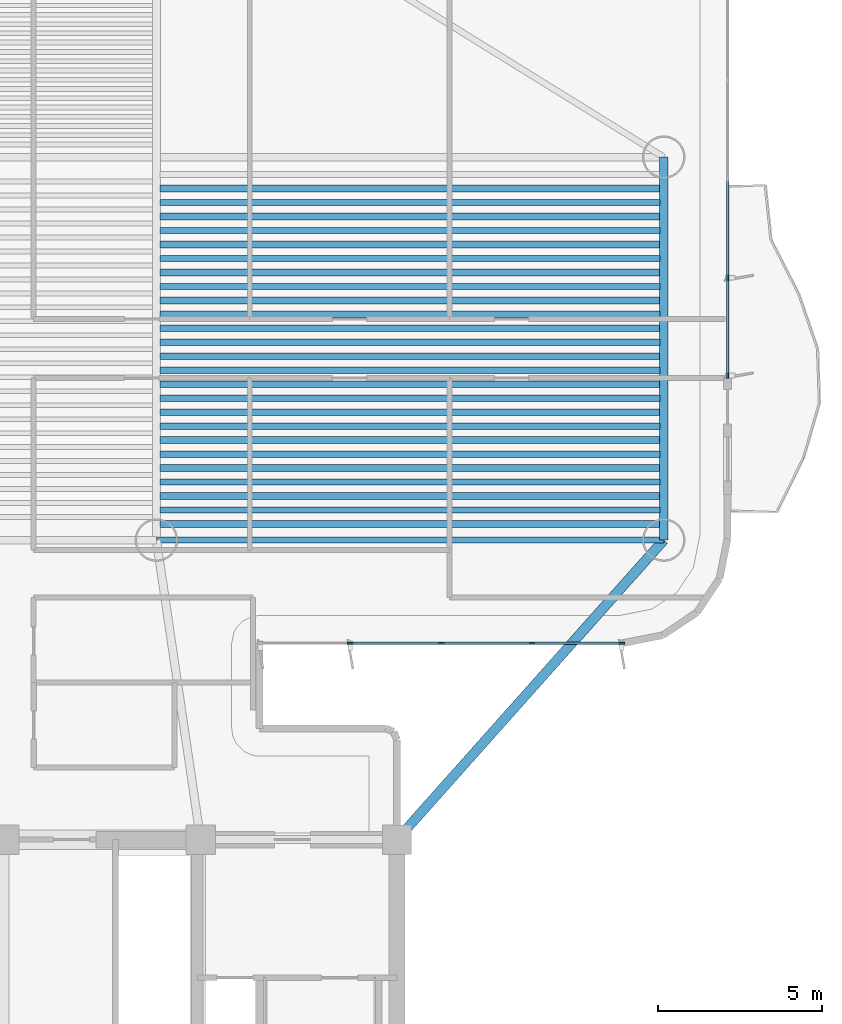
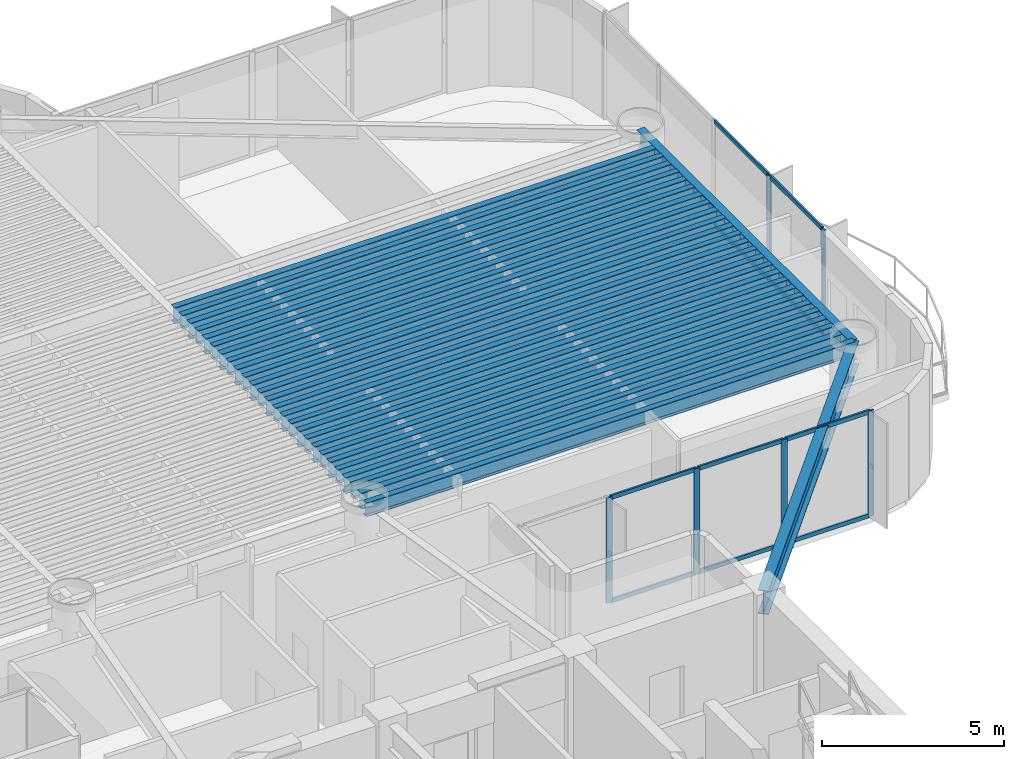
# One storey, part 4 of 16: 28 beams, 16 members, 2 elements without a shape of their own.
"""IFC4 building model written with IfcOpenShell, lengths in metres."""

import ifcopenshell
import ifcopenshell.guid

model = None  # the IFC model being written
_history = None  # IfcOwnerHistory: only IFC2X3 demands one
_inside = {}  # id of a spatial element -> (the spatial element, [elements in it])
_under = {}  # id of a project, library or spatial element -> (it, [spatial elements below it])
_declared = {}  # id of a project -> (the project, [libraries it declares])
_typed = {}  # id of a type object -> (the type object, [elements of that type])
_made_of = {}  # id of a material, layer set ... -> (it, [elements and type objects made of it])


def new_model(schema):
    """Start an empty IFC model of exactly this schema.

    Asked for "IFC4X3", IfcOpenShell would pick the latest addendum, in which some entities
    have other attributes; the version numbers below select the first issue.
    IFC2X3 requires an IfcOwnerHistory on every rooted entity: one is made here for all.
    """
    global model, _history
    if schema == "IFC4X3":
        model = ifcopenshell.file(schema_version=(4, 3, 0, 0))
    else:
        model = ifcopenshell.file(schema=schema)
    _inside.clear()
    _under.clear()
    _declared.clear()
    _typed.clear()
    _made_of.clear()
    _history = None
    if model.schema == "IFC2X3":
        org = make("IfcOrganization", Name="unknown")
        user = make(
            "IfcPersonAndOrganization",
            ThePerson=make("IfcPerson", FamilyName="unknown"),
            TheOrganization=org,
        )
        app = make(
            "IfcApplication",
            ApplicationDeveloper=org,
            Version="unknown",
            ApplicationFullName="unknown",
            ApplicationIdentifier="unknown",
        )
        _history = make(
            "IfcOwnerHistory",
            OwningUser=user,
            OwningApplication=app,
            ChangeAction="ADDED",
            CreationDate=0,
        )
    return model


def make(cls, **values):
    """One entity of the class cls with the attributes given. An attribute that is None is left unset."""
    return model.create_entity(
        cls, **{name: value for name, value in values.items() if value is not None}
    )


def rooted(cls, **values):
    """An entity with a GlobalId (a new one), such as an element, a storey or a relation."""
    return make(cls, GlobalId=ifcopenshell.guid.new(), OwnerHistory=_history, **values)


def si_unit(unit_type, name, prefix=None):
    """IfcSIUnit, for example si_unit("LENGTHUNIT", "METRE", prefix="MILLI")."""
    return make("IfcSIUnit", UnitType=unit_type, Prefix=prefix, Name=name)


def assignment(units):
    """IfcUnitAssignment: the units of a project."""
    return None if units is None else make("IfcUnitAssignment", Units=units)


def point(xyz):
    """IfcCartesianPoint."""
    return None if xyz is None else make("IfcCartesianPoint", Coordinates=xyz)


def direction(xyz):
    """IfcDirection."""
    return None if xyz is None else make("IfcDirection", DirectionRatios=xyz)


def frame(location, z_axis=None, x_axis=None):
    """IfcAxis2Placement3D, a coordinate frame: its origin and axes. An axis left out is left unset."""
    return make(
        "IfcAxis2Placement3D",
        Location=point(location),
        Axis=direction(z_axis),
        RefDirection=direction(x_axis),
    )


def frame_2d(location, x_axis=None):
    """IfcAxis2Placement2D, a coordinate frame in the plane: its origin and x axis."""
    return make(
        "IfcAxis2Placement2D", Location=point(location), RefDirection=direction(x_axis)
    )


def origin():
    """The frame at (0, 0, 0) with its axes left unset."""
    return frame((0.0, 0.0, 0.0))


def origin_2d():
    """The frame at (0, 0) in the plane with its x axis left unset."""
    return frame_2d((0.0, 0.0))


def place(relative_to, where):
    """IfcLocalPlacement: puts the frame where relative to a parent placement (None: the world)."""
    return make(
        "IfcLocalPlacement", PlacementRelTo=relative_to, RelativePlacement=where
    )


def context(
    kind, dimensions, precision=None, world=None, true_north=None, identifier=None
):
    """IfcGeometricRepresentationContext, for example the 3D "Model" context."""
    return make(
        "IfcGeometricRepresentationContext",
        ContextIdentifier=identifier,
        ContextType=kind,
        CoordinateSpaceDimension=dimensions,
        Precision=precision,
        WorldCoordinateSystem=world,
        TrueNorth=true_north,
    )


def subcontext(parent, identifier, kind, view, scale=None):
    """IfcGeometricRepresentationSubContext, for example "Body" below "Model"."""
    return make(
        "IfcGeometricRepresentationSubContext",
        ContextIdentifier=identifier,
        ContextType=kind,
        ParentContext=parent,
        TargetScale=scale,
        TargetView=view,
    )


def project(units=None, contexts=None):
    """IfcProject with its units and contexts."""
    return rooted(
        "IfcProject",
        Name="project",
        RepresentationContexts=contexts,
        UnitsInContext=assignment(units),
    )


def spatial(cls, under=None, at=None, **own):
    """A site, building, storey or space (cls), placed at a placement, below another one or the project."""
    s = rooted(cls, ObjectPlacement=at, **own)
    if under is not None:
        _under.setdefault(under.id(), (under, []))[1].append(s)
    return s


def profile(cls, at=None, kind="AREA", **sizes):
    """A parametric profile (cls). Its sizes go by their IFC names, for example OverallWidth=200.0."""
    return make(cls, ProfileType=kind, Position=at, **sizes)


def rectangle(**sizes):
    """IfcRectangleProfileDef."""
    return profile("IfcRectangleProfileDef", **sizes)


def i_section(**sizes):
    """IfcIShapeProfileDef."""
    return profile("IfcIShapeProfileDef", **sizes)


def extrude(swept, where, along, depth):
    """IfcExtrudedAreaSolid: the profile swept, set in the frame where, extruded along a direction by depth."""
    return make(
        "IfcExtrudedAreaSolid",
        SweptArea=swept,
        Position=where,
        ExtrudedDirection=direction(along),
        Depth=depth,
    )


def shape(context_of_items, identifier, shape_type, items):
    """IfcShapeRepresentation: the items that make up one representation, for example the "Body"."""
    return make(
        "IfcShapeRepresentation",
        ContextOfItems=context_of_items,
        RepresentationIdentifier=identifier,
        RepresentationType=shape_type,
        Items=items,
    )


def source(mapping_origin, context_of_items, identifier, shape_type, items):
    """IfcRepresentationMap: a shape defined once, which mapped items show again and again."""
    return make(
        "IfcRepresentationMap",
        MappingOrigin=mapping_origin,
        MappedRepresentation=shape(context_of_items, identifier, shape_type, items),
    )


def transform(
    local_origin,
    x_axis=None,
    y_axis=None,
    z_axis=None,
    scale=None,
    scale2=None,
    scale3=None,
    uniform=True,
):
    """IfcCartesianTransformationOperator3D, or its non-uniform kind. x_axis, y_axis, z_axis: its Axis1, 2, 3."""
    if uniform:
        return make(
            "IfcCartesianTransformationOperator3D",
            Axis1=direction(x_axis),
            Axis2=direction(y_axis),
            LocalOrigin=point(local_origin),
            Scale=scale,
            Axis3=direction(z_axis),
        )
    return make(
        "IfcCartesianTransformationOperator3DnonUniform",
        Axis1=direction(x_axis),
        Axis2=direction(y_axis),
        LocalOrigin=point(local_origin),
        Scale=scale,
        Axis3=direction(z_axis),
        Scale2=scale2,
        Scale3=scale3,
    )


def mapped(mapping_source, mapping_target):
    """IfcMappedItem: shows the shape of a source again, moved by a transform."""
    return make(
        "IfcMappedItem", MappingSource=mapping_source, MappingTarget=mapping_target
    )


def material(Name=None, Category=None):
    """IfcMaterial."""
    return make("IfcMaterial", Name=Name, Category=Category)


def layer(
    of_material, thickness, ventilated=None, Name=None, Category=None, Priority=None
):
    """IfcMaterialLayer: one layer of a wall or slab, of a material (None: an air gap)."""
    return make(
        "IfcMaterialLayer",
        Material=of_material,
        LayerThickness=thickness,
        IsVentilated=ventilated,
        Name=Name,
        Category=Category,
        Priority=Priority,
    )


def layer_set(layers, Name=None):
    """IfcMaterialLayerSet."""
    return make("IfcMaterialLayerSet", MaterialLayers=layers, LayerSetName=Name)


def material_profile(
    of_material, cross_section, Name=None, Category=None, Priority=None
):
    """IfcMaterialProfile: a cross section and its material."""
    return make(
        "IfcMaterialProfile",
        Name=Name,
        Material=of_material,
        Profile=cross_section,
        Priority=Priority,
        Category=Category,
    )


def profile_set(profiles, Name=None, composite=None):
    """IfcMaterialProfileSet."""
    return make(
        "IfcMaterialProfileSet",
        Name=Name,
        MaterialProfiles=profiles,
        CompositeProfile=composite,
    )


def made_of(thing, what):
    """Note that an element or type object is made of a material, layer set ...; save() writes the relation."""
    if what is not None:
        _made_of.setdefault(what.id(), (what, []))[1].append(thing)
    return thing


def type_object(cls, material=None, **own):
    """A type object (cls), such as IfcWallType, which elements share."""
    return made_of(rooted(cls, **own), material)


def element(
    cls,
    number,
    at=None,
    inside=None,
    cuts=None,
    type_object=None,
    material=None,
    context=None,
    identifier="Body",
    shape_type=None,
    held_by="IfcProductDefinitionShape",
    body=None,
    shapes=None,
    **own,
):
    """One element of the class cls, such as IfcWall. Its Tag is "e" and its number.

    at: its placement. inside: the storey or other place that contains it. cuts: it is an
    opening in that element (IfcRelVoidsElement). A single representation is given by context,
    identifier, shape_type and body (its items); several are given by shapes. held_by: the class
    of the entity that holds the representations. save() writes the other relations.
    """
    e = rooted(cls, Tag="e%d" % number, ObjectPlacement=at, **own)
    if body is not None:
        shapes = [shape(context, identifier, shape_type, body)]
    if shapes is not None:
        e.Representation = make(held_by, Representations=shapes)
    if inside is not None:
        _inside.setdefault(inside.id(), (inside, []))[1].append(e)
    if cuts is not None:
        rooted(
            "IfcRelVoidsElement", RelatingBuildingElement=cuts, RelatedOpeningElement=e
        )
    if type_object is not None:
        _typed.setdefault(type_object.id(), (type_object, []))[1].append(e)
    return made_of(e, material)


def aggregate(whole, parts):
    """IfcRelAggregates: a whole, such as a stair, and the parts it consists of."""
    return rooted("IfcRelAggregates", RelatingObject=whole, RelatedObjects=parts)


def save(model, path):
    """Write the relations noted so far, then the file.

    IfcRelAggregates (storeys below a building ...), IfcRelContainedInSpatialStructure (elements
    in a storey), IfcRelDefinesByType, IfcRelAssociatesMaterial and IfcRelDeclares: one each for
    every whole, place, type object, material and project.
    """
    for whole, parts in _under.values():
        aggregate(whole, parts)
    for where, things in _inside.values():
        rooted(
            "IfcRelContainedInSpatialStructure",
            RelatedElements=things,
            RelatingStructure=where,
        )
    for kind, things in _typed.values():
        rooted("IfcRelDefinesByType", RelatedObjects=things, RelatingType=kind)
    for what, things in _made_of.values():
        rooted("IfcRelAssociatesMaterial", RelatedObjects=things, RelatingMaterial=what)
    for by, libraries in _declared.values():
        rooted("IfcRelDeclares", RelatingContext=by, RelatedDefinitions=libraries)
    model.write(path)


model = new_model("IFC4")

# Units and contexts
model_context = context("Model", 3, precision=1e-05, world=origin(), true_north=direction((0.0, 1.0)))
body_context = subcontext(model_context, "Body", "Model", "MODEL_VIEW")
ifc_project = project(units=[si_unit("LENGTHUNIT", "METRE"), si_unit("AREAUNIT", "SQUARE_METRE"), si_unit("VOLUMEUNIT", "CUBIC_METRE"), si_unit("PLANEANGLEUNIT", "RADIAN"), si_unit("MASSUNIT", "GRAM", prefix="KILO")], contexts=[model_context])

# Site, building, storey
site_placement = place(None, origin())
site = spatial("IfcSite", under=ifc_project, at=site_placement, CompositionType="ELEMENT")
building_placement = place(site_placement, origin())
building = spatial("IfcBuilding", under=site, at=building_placement, Name="Brelvock Crest Care Tower", CompositionType="ELEMENT")
storey_placement = place(building_placement, frame((0.0, 0.0, 116.280029296875)))
storey = spatial("IfcBuildingStorey", under=building, at=storey_placement, Name="L29", CompositionType="ELEMENT", Elevation=116.280029296875)

# Beams
ifc_material_1 = material(Name="Steel Grade 350", Category="steel")
ifc_material_profile_1 = material_profile(ifc_material_1, i_section(OverallWidth=0.208984375, OverallDepth=0.532958984375, WebThickness=0.01025390625, FlangeThickness=0.015625, FilletRadius=0.013916015625, at=origin_2d()), Name="530UB92.4")
ifc_profile_set_1 = profile_set([ifc_material_profile_1], Name="Steel Grade 350")
beam_type_1 = type_object("IfcBeamType", Name="BM-G2", PredefinedType="BEAM", material=ifc_profile_set_1)
shared_shape_1 = source(origin(), body_context, "Body", "SweptSolid", [
    extrude(i_section(OverallWidth=0.208984375, OverallDepth=0.532958984375, WebThickness=0.01025390625, FlangeThickness=0.015625, FilletRadius=0.013916015625, at=origin_2d()), origin(), (0.0, 0.0, 1.0), 15.27001953125),
])
for number, where, z_axis, x_axis, name in (
    (1, (40.764892578125, 27.641357421875, 3.263427734375), (1.0, 0.0, 0.0), (0.0, 1.0, 0.0), "BM-JE-L29-1"),
    (2, (40.764892578125, 28.49560546875, 3.263427734375), (1.0, 0.0, 0.0), (0.0, 1.0, 0.0), "BM-JE-L29-3"),
    (3, (40.764892578125, 29.349609375, 3.263427734375), (1.0, 0.0, 0.0), (0.0, 1.0, 0.0), "BM-JE-L29-5"),
    (4, (40.764892578125, 30.20361328125, 3.263427734375), (1.0, 0.0, 0.0), (0.0, 1.0, 0.0), "BM-JE-L29-7"),
    (5, (40.764892578125, 31.057861328125, 3.263427734375), (1.0, 0.0, 0.0), (0.0, 1.0, 0.0), "BM-JE-L29-9"),
    (6, (40.764892578125, 31.911865234375, 3.263427734375), (1.0, 0.0, 0.0), (0.0, 1.0, 0.0), "BM-JE-L29-11"),
    (7, (40.764892578125, 32.76611328125, 3.263427734375), (1.0, 0.0, 0.0), (0.0, 1.0, 0.0), "BM-JE-L29-13"),
    (8, (40.764892578125, 33.6201171875, 3.263427734375), (1.0, 0.0, 0.0), (0.0, 1.0, 0.0), "BM-JE-L29-15"),
    (9, (40.764892578125, 34.47412109375, 3.263427734375), (1.0, 0.0, 0.0), (0.0, 1.0, 0.0), "BM-JE-L29-17"),
    (10, (40.764892578125, 35.328369140625, 3.263427734375), (1.0, 0.0, 0.0), (0.0, 1.0, 0.0), "BM-JE-L29-19"),
    (11, (40.764892578125, 36.182373046875, 3.263427734375), (1.0, 0.0, 0.0), (0.0, 1.0, 0.0), "BM-JE-L29-21"),
    (12, (40.764892578125, 37.03662109375, 3.263427734375), (1.0, 0.0, 0.0), (0.0, 1.0, 0.0), "BM-JE-L29-23"),
    (13, (40.764892578125, 37.890625, 3.263427734375), (1.0, 0.0, 0.0), (0.0, 1.0, 0.0), "BM-JE-L29-25"),
):
    element("IfcBeam", number, at=place(storey_placement, frame(where, z_axis=z_axis, x_axis=x_axis)), inside=storey, type_object=beam_type_1, Name=name, PredefinedType="BEAM", context=body_context, shape_type="MappedRepresentation", body=[
        mapped(shared_shape_1, transform((0.0, 0.0, 0.0), x_axis=(1.0, 0.0, 0.0), y_axis=(0.0, 1.0, 0.0), z_axis=(0.0, 0.0, 1.0), scale=1.0)),
    ])
ifc_material_profile_2 = material_profile(ifc_material_1, i_section(OverallWidth=0.19091796875, OverallDepth=0.4599609375, WebThickness=0.010009765625, FlangeThickness=0.01611328125, FilletRadius=0.011474609375, at=origin_2d()), Name="460UB82.1")
ifc_profile_set_2 = profile_set([ifc_material_profile_2], Name="Steel Grade 350")
beam_type_2 = type_object("IfcBeamType", Name="BM-G3", PredefinedType="BEAM", material=ifc_profile_set_2)
shared_shape_2 = source(origin(), body_context, "Body", "SweptSolid", [
    extrude(i_section(OverallWidth=0.19091796875, OverallDepth=0.4599609375, WebThickness=0.010009765625, FlangeThickness=0.01611328125, FilletRadius=0.011474609375, at=origin_2d()), origin(), (0.0, 0.0, 1.0), 15.27001953125),
])
for number, where, z_axis, x_axis, name in (
    (14, (40.764892578125, 28.068359375, 3.300048828125), (1.0, 0.0, 0.0), (0.0, 1.0, 0.0), "BM-JE-L29-2"),
    (15, (40.764892578125, 28.922607421875, 3.300048828125), (1.0, 0.0, 0.0), (0.0, 1.0, 0.0), "BM-JE-L29-4"),
    (16, (40.764892578125, 29.776611328125, 3.300048828125), (1.0, 0.0, 0.0), (0.0, 1.0, 0.0), "BM-JE-L29-6"),
    (17, (40.764892578125, 30.630615234375, 3.300048828125), (1.0, 0.0, 0.0), (0.0, 1.0, 0.0), "BM-JE-L29-8"),
    (18, (40.764892578125, 31.48486328125, 3.300048828125), (1.0, 0.0, 0.0), (0.0, 1.0, 0.0), "BM-JE-L29-10"),
    (19, (40.764892578125, 32.3388671875, 3.300048828125), (1.0, 0.0, 0.0), (0.0, 1.0, 0.0), "BM-JE-L29-12"),
    (20, (40.764892578125, 33.193115234375, 3.300048828125), (1.0, 0.0, 0.0), (0.0, 1.0, 0.0), "BM-JE-L29-14"),
    (21, (40.764892578125, 34.047119140625, 3.300048828125), (1.0, 0.0, 0.0), (0.0, 1.0, 0.0), "BM-JE-L29-16"),
    (22, (40.764892578125, 34.901123046875, 3.300048828125), (1.0, 0.0, 0.0), (0.0, 1.0, 0.0), "BM-JE-L29-18"),
    (23, (40.764892578125, 35.75537109375, 3.300048828125), (1.0, 0.0, 0.0), (0.0, 1.0, 0.0), "BM-JE-L29-20"),
    (24, (40.764892578125, 36.609619140625, 3.300048828125), (1.0, 0.0, 0.0), (0.0, 1.0, 0.0), "BM-JE-L29-22"),
    (25, (40.764892578125, 37.46337890625, 3.300048828125), (1.0, 0.0, 0.0), (0.0, 1.0, 0.0), "BM-JE-L29-24"),
):
    element("IfcBeam", number, at=place(storey_placement, frame(where, z_axis=z_axis, x_axis=x_axis)), inside=storey, type_object=beam_type_2, Name=name, PredefinedType="BEAM", context=body_context, shape_type="MappedRepresentation", body=[
        mapped(shared_shape_2, transform((0.0, 0.0, 0.0), x_axis=(1.0, 0.0, 0.0), y_axis=(0.0, 1.0, 0.0), z_axis=(0.0, 0.0, 1.0), scale=1.0)),
    ])
ifc_material_profile_3 = material_profile(ifc_material_1, i_section(OverallWidth=0.25, OverallDepth=0.699951171875, WebThickness=0.011962890625, FlangeThickness=0.02001953125, at=origin_2d()), Name="700WB150")
ifc_profile_set_3 = profile_set([ifc_material_profile_3], Name="Steel Grade 350")
beam_type_3 = type_object("IfcBeamType", Name="BM-G4", PredefinedType="BEAM", material=ifc_profile_set_3)
shared_shape_3 = source(origin(), body_context, "Body", "SweptSolid", [
    extrude(i_section(OverallWidth=0.25, OverallDepth=0.699951171875, WebThickness=0.011962890625, FlangeThickness=0.02001953125, at=origin_2d()), origin(), (0.0, 0.0, 1.0), 11.7001953125),
])
beam_1_placement = place(storey_placement, frame((56.14990234375, 27.14990234375, 3.179931640625), z_axis=(0.0, 1.0, 0.0), x_axis=(-1.0, 0.0, 0.0)))
element("IfcBeam", 26, at=beam_1_placement, inside=storey, type_object=beam_type_3, Name="BM-TWR-L29-02", PredefinedType="BEAM", context=body_context, shape_type="MappedRepresentation", body=[
    mapped(shared_shape_3, transform((0.0, 0.0, 0.0), x_axis=(1.0, 0.0, 0.0), y_axis=(0.0, 1.0, 0.0), z_axis=(0.0, 0.0, 1.0), scale=1.0)),
])
ifc_material_profile_4 = material_profile(ifc_material_1, i_section(OverallWidth=0.19091796875, OverallDepth=0.4599609375, WebThickness=0.010009765625, FlangeThickness=0.01611328125, FilletRadius=0.011474609375, at=origin_2d()), Name="460UB82.1")
ifc_profile_set_4 = profile_set([ifc_material_profile_4], Name="Steel Grade 350")
beam_type_4 = type_object("IfcBeamType", Name="BM-SP2", PredefinedType="SPANDREL", material=ifc_profile_set_4)
shared_shape_4 = source(origin(), body_context, "Body", "SweptSolid", [
    extrude(i_section(OverallWidth=0.19091796875, OverallDepth=0.4599609375, WebThickness=0.010009765625, FlangeThickness=0.01611328125, FilletRadius=0.011474609375, at=origin_2d()), origin(), (0.0, 0.0, 1.0), 15.5),
])
beam_2_placement = place(storey_placement, frame((40.64990234375, 27.14990234375, 3.300048828125), z_axis=(1.0, 0.0, 0.0), x_axis=(0.0, 1.0, 0.0)))
element("IfcBeam", 27, at=beam_2_placement, inside=storey, type_object=beam_type_4, Name="BM-TWR-L29-04", PredefinedType="SPANDREL", context=body_context, shape_type="MappedRepresentation", body=[
    mapped(shared_shape_4, transform((0.0, 0.0, 0.0), x_axis=(1.0, 0.0, 0.0), y_axis=(0.0, 1.0, 0.0), z_axis=(0.0, 0.0, 1.0), scale=1.0)),
])
ifc_material_profile_5 = material_profile(ifc_material_1, i_section(OverallWidth=0.300048828125, OverallDepth=0.800048828125, WebThickness=0.013916015625, FlangeThickness=0.02197265625, at=origin_2d()), Name="800WB192")
ifc_profile_set_5 = profile_set([ifc_material_profile_5], Name="Steel Grade 350")
beam_type_5 = type_object("IfcBeamType", Name="BM-G5", PredefinedType="BEAM", material=ifc_profile_set_5)
shared_shape_5 = source(origin(), body_context, "Body", "SweptSolid", [
    extrude(i_section(OverallWidth=0.300048828125, OverallDepth=0.800048828125, WebThickness=0.013916015625, FlangeThickness=0.02197265625, at=origin_2d()), origin(), (0.0, 0.0, 1.0), 12.253173828125),
])
beam_3_placement = place(storey_placement, frame((48.0, 18.0, 3.1298828125), z_axis=(0.665122829149, 0.746733970129, 0.0), x_axis=(-0.746733970129, 0.665122829149, 0.0)))
element("IfcBeam", 28, at=beam_3_placement, inside=storey, type_object=beam_type_5, Name="BM-THRO-E-L29", PredefinedType="BEAM", context=body_context, shape_type="MappedRepresentation", body=[
    mapped(shared_shape_5, transform((0.0, 0.0, 0.0), x_axis=(1.0, 0.0, 0.0), y_axis=(0.0, 1.0, 0.0), z_axis=(0.0, 0.0, 1.0), scale=1.0)),
])

# Curtain wall, members
ifc_material_2 = material(Name="Dark Glass Double Glazed Low-E", Category="glass")
ifc_layer = layer(ifc_material_2, 0.2099609375, Name="CWS-3")
ifc_layer_set = layer_set([ifc_layer], Name="Dark Glass Double Glazed Low-E")
curtain_wall_type = type_object("IfcCurtainWallType", Name="CWS-3", PredefinedType="NOTDEFINED", material=ifc_layer_set)
curtain_wall_1_placement = place(storey_placement, origin())
curtain_wall_1 = element("IfcCurtainWall", 29, at=curtain_wall_1_placement, inside=storey, type_object=curtain_wall_type, Name="L29 Curtain Wall E39A", PredefinedType="NOTDEFINED")
ifc_material_3 = material(Name="Aluminium 6063-T6", Category="aluminium")
ifc_material_profile_6 = material_profile(ifc_material_3, rectangle(XDim=0.06005859375, YDim=0.179931640625, at=origin_2d()), Name="ALU60x180")
ifc_profile_set_6 = profile_set([ifc_material_profile_6], Name="Aluminium 6063-T6")
member_type_1 = type_object("IfcMemberType", Name="CWM-2", PredefinedType="MULLION", material=ifc_profile_set_6)
shared_shape_6 = source(origin(), body_context, "Body", "SweptSolid", [
    extrude(rectangle(XDim=0.06005859375, YDim=0.179931640625, at=origin_2d()), origin(), (0.0, 0.0, 1.0), 3.530029296875),
])
member_1_placement = place(storey_placement, frame((58.10009765625, 35.16259765625, 0.0), z_axis=(0.0, 0.0, 1.0), x_axis=(1.0, 0.0, 0.0)))
member_1 = element("IfcMember", 30, at=member_1_placement, type_object=member_type_1, Name="CW-3 mullion 4", PredefinedType="MULLION", context=body_context, shape_type="MappedRepresentation", body=[
    mapped(shared_shape_6, transform((0.0, 0.0, 0.0), x_axis=(1.0, 0.0, 0.0), y_axis=(0.0, 1.0, 0.0), z_axis=(0.0, 0.0, 1.0), scale=1.0)),
])
member_2_placement = place(storey_placement, frame((58.10009765625, 32.179931640625, 0.0), z_axis=(0.0, 0.0, 1.0), x_axis=(1.0, 0.0, 0.0)))
member_2 = element("IfcMember", 31, at=member_2_placement, type_object=member_type_1, Name="CW-3 mullion 5", PredefinedType="MULLION", context=body_context, shape_type="MappedRepresentation", body=[
    mapped(shared_shape_6, transform((0.0, 0.0, 0.0), x_axis=(1.0, 0.0, 0.0), y_axis=(0.0, 1.0, 0.0), z_axis=(0.0, 0.0, 1.0), scale=1.0)),
])

curtain_wall_2_placement = place(storey_placement, origin())
curtain_wall_2 = element("IfcCurtainWall", 32, at=curtain_wall_2_placement, inside=storey, type_object=curtain_wall_type, Name="L29 Curtain Wall E44", PredefinedType="NOTDEFINED")
member_3_placement = place(storey_placement, frame((54.8701171875, 24.0, 0.0), z_axis=(0.0, 0.0, 1.0), x_axis=(0.0, -1.0, 0.0)))
member_3 = element("IfcMember", 33, at=member_3_placement, type_object=member_type_1, Name="CW-3 mullion 1", PredefinedType="MULLION", context=body_context, shape_type="MappedRepresentation", body=[
    mapped(shared_shape_6, transform((0.0, 0.0, 0.0), x_axis=(1.0, 0.0, 0.0), y_axis=(0.0, 1.0, 0.0), z_axis=(0.0, 0.0, 1.0), scale=1.0)),
])
member_4_placement = place(storey_placement, frame((52.125, 24.0, 0.0), z_axis=(0.0, 0.0, 1.0), x_axis=(0.0, -1.0, 0.0)))
member_4 = element("IfcMember", 34, at=member_4_placement, type_object=member_type_1, Name="CW-3 mullion 2", PredefinedType="MULLION", context=body_context, shape_type="MappedRepresentation", body=[
    mapped(shared_shape_6, transform((0.0, 0.0, 0.0), x_axis=(1.0, 0.0, 0.0), y_axis=(0.0, 1.0, 0.0), z_axis=(0.0, 0.0, 1.0), scale=1.0)),
])
member_5_placement = place(storey_placement, frame((49.35009765625, 24.0, 0.0), z_axis=(0.0, 0.0, 1.0), x_axis=(0.0, -1.0, 0.0)))
member_5 = element("IfcMember", 35, at=member_5_placement, type_object=member_type_1, Name="CW-3 mullion 3", PredefinedType="MULLION", context=body_context, shape_type="MappedRepresentation", body=[
    mapped(shared_shape_6, transform((0.0, 0.0, 0.0), x_axis=(1.0, 0.0, 0.0), y_axis=(0.0, 1.0, 0.0), z_axis=(0.0, 0.0, 1.0), scale=1.0)),
])
member_6_placement = place(storey_placement, frame((46.574951171875, 24.0, 0.0), z_axis=(0.0, 0.0, 1.0), x_axis=(0.0, -1.0, 0.0)))
member_6 = element("IfcMember", 36, at=member_6_placement, type_object=member_type_1, Name="CW-3 mullion 4", PredefinedType="MULLION", context=body_context, shape_type="MappedRepresentation", body=[
    mapped(shared_shape_6, transform((0.0, 0.0, 0.0), x_axis=(1.0, 0.0, 0.0), y_axis=(0.0, 1.0, 0.0), z_axis=(0.0, 0.0, 1.0), scale=1.0)),
])
ifc_material_profile_7 = material_profile(ifc_material_3, rectangle(XDim=0.06005859375, YDim=0.139892578125, at=origin_2d()), Name="ALU60x140")
ifc_profile_set_7 = profile_set([ifc_material_profile_7], Name="Aluminium 6063-T6")
member_type_2 = type_object("IfcMemberType", Name="CWT-2", PredefinedType="USERDEFINED", material=ifc_profile_set_7)
shared_shape_7 = source(origin(), body_context, "Body", "SweptSolid", [
    extrude(rectangle(XDim=0.06005859375, YDim=0.139892578125, at=origin_2d()), origin(), (0.0, 0.0, 1.0), 2.715087890625),
])
member_7_placement = place(storey_placement, frame((52.094970703125, 24.0, 0.030029296875), z_axis=(-1.0, 0.0, 0.0), x_axis=(0.0, -1.0, 0.0)))
member_7 = element("IfcMember", 37, at=member_7_placement, type_object=member_type_2, Name="CW-3 transom 2.1", ObjectType="TRANSOM", PredefinedType="USERDEFINED", context=body_context, shape_type="MappedRepresentation", body=[
    mapped(shared_shape_7, transform((0.0, 0.0, 0.0), x_axis=(1.0, 0.0, 0.0), y_axis=(0.0, 1.0, 0.0), z_axis=(0.0, 0.0, 1.0), scale=1.0)),
])
member_8_placement = place(storey_placement, frame((52.094970703125, 24.0, 3.5), z_axis=(-1.0, 0.0, 0.0), x_axis=(0.0, -1.0, 0.0)))
member_8 = element("IfcMember", 38, at=member_8_placement, type_object=member_type_2, Name="CW-3 transom 2.2", ObjectType="TRANSOM", PredefinedType="USERDEFINED", context=body_context, shape_type="MappedRepresentation", body=[
    mapped(shared_shape_7, transform((0.0, 0.0, 0.0), x_axis=(1.0, 0.0, 0.0), y_axis=(0.0, 1.0, 0.0), z_axis=(0.0, 0.0, 1.0), scale=1.0)),
])
member_9_placement = place(storey_placement, frame((49.320068359375, 24.0, 0.030029296875), z_axis=(-1.0, 0.0, 0.0), x_axis=(0.0, -1.0, 0.0)))
member_9 = element("IfcMember", 39, at=member_9_placement, type_object=member_type_2, Name="CW-3 transom 3.1", ObjectType="TRANSOM", PredefinedType="USERDEFINED", context=body_context, shape_type="MappedRepresentation", body=[
    mapped(shared_shape_7, transform((0.0, 0.0, 0.0), x_axis=(1.0, 0.0, 0.0), y_axis=(0.0, 1.0, 0.0), z_axis=(0.0, 0.0, 1.0), scale=1.0)),
])
member_10_placement = place(storey_placement, frame((49.320068359375, 24.0, 3.5), z_axis=(-1.0, 0.0, 0.0), x_axis=(0.0, -1.0, 0.0)))
member_10 = element("IfcMember", 40, at=member_10_placement, type_object=member_type_2, Name="CW-3 transom 3.2", ObjectType="TRANSOM", PredefinedType="USERDEFINED", context=body_context, shape_type="MappedRepresentation", body=[
    mapped(shared_shape_7, transform((0.0, 0.0, 0.0), x_axis=(1.0, 0.0, 0.0), y_axis=(0.0, 1.0, 0.0), z_axis=(0.0, 0.0, 1.0), scale=1.0)),
])
shared_shape_8 = source(origin(), body_context, "Body", "SweptSolid", [
    extrude(rectangle(XDim=0.06005859375, YDim=0.139892578125, at=origin_2d()), origin(), (0.0, 0.0, 1.0), 2.68505859375),
])
member_11_placement = place(storey_placement, frame((54.840087890625, 24.0, 0.030029296875), z_axis=(-1.0, 0.0, 0.0), x_axis=(0.0, -1.0, 0.0)))
member_11 = element("IfcMember", 41, at=member_11_placement, type_object=member_type_2, Name="CW-3 transom 1.1", ObjectType="TRANSOM", PredefinedType="USERDEFINED", context=body_context, shape_type="MappedRepresentation", body=[
    mapped(shared_shape_8, transform((0.0, 0.0, 0.0), x_axis=(1.0, 0.0, 0.0), y_axis=(0.0, 1.0, 0.0), z_axis=(0.0, 0.0, 1.0), scale=1.0)),
])
member_12_placement = place(storey_placement, frame((54.840087890625, 24.0, 3.5), z_axis=(-1.0, 0.0, 0.0), x_axis=(0.0, -1.0, 0.0)))
member_12 = element("IfcMember", 42, at=member_12_placement, type_object=member_type_2, Name="CW-3 transom 1.2", ObjectType="TRANSOM", PredefinedType="USERDEFINED", context=body_context, shape_type="MappedRepresentation", body=[
    mapped(shared_shape_8, transform((0.0, 0.0, 0.0), x_axis=(1.0, 0.0, 0.0), y_axis=(0.0, 1.0, 0.0), z_axis=(0.0, 0.0, 1.0), scale=1.0)),
])
aggregate(curtain_wall_2, [member_3, member_4, member_5, member_6, member_11, member_12, member_7, member_8, member_9, member_10])

# Member
shared_shape_9 = source(origin(), body_context, "Body", "SweptSolid", [
    extrude(rectangle(XDim=0.06005859375, YDim=0.139892578125, at=origin_2d()), origin(), (0.0, 0.0, 1.0), 2.922607421875),
])
member_13_placement = place(storey_placement, frame((58.10009765625, 35.132568359375, 0.030029296875), z_axis=(0.0, -1.0, 0.0), x_axis=(1.0, 0.0, 0.0)))
member_13 = element("IfcMember", 43, at=member_13_placement, type_object=member_type_2, Name="CW-3 transom 4.1", ObjectType="TRANSOM", PredefinedType="USERDEFINED", context=body_context, shape_type="MappedRepresentation", body=[
    mapped(shared_shape_9, transform((0.0, 0.0, 0.0), x_axis=(1.0, 0.0, 0.0), y_axis=(0.0, 1.0, 0.0), z_axis=(0.0, 0.0, 1.0), scale=1.0)),
])

member_14_placement = place(storey_placement, frame((58.10009765625, 35.132568359375, 3.5), z_axis=(0.0, -1.0, 0.0), x_axis=(1.0, 0.0, 0.0)))
member_14 = element("IfcMember", 44, at=member_14_placement, type_object=member_type_2, Name="CW-3 transom 4.2", ObjectType="TRANSOM", PredefinedType="USERDEFINED", context=body_context, shape_type="MappedRepresentation", body=[
    mapped(shared_shape_9, transform((0.0, 0.0, 0.0), x_axis=(1.0, 0.0, 0.0), y_axis=(0.0, 1.0, 0.0), z_axis=(0.0, 0.0, 1.0), scale=1.0)),
])

shared_shape_10 = source(origin(), body_context, "Body", "SweptSolid", [
    extrude(rectangle(XDim=0.06005859375, YDim=0.139892578125, at=origin_2d()), origin(), (0.0, 0.0, 1.0), 2.95263671875),
])
member_15_placement = place(storey_placement, frame((58.10009765625, 38.14501953125, 0.030029296875), z_axis=(0.0, -1.0, 0.0), x_axis=(1.0, 0.0, 0.0)))
member_15 = element("IfcMember", 45, at=member_15_placement, type_object=member_type_2, Name="CW-3 transom 3.1", ObjectType="TRANSOM", PredefinedType="USERDEFINED", context=body_context, shape_type="MappedRepresentation", body=[
    mapped(shared_shape_10, transform((0.0, 0.0, 0.0), x_axis=(1.0, 0.0, 0.0), y_axis=(0.0, 1.0, 0.0), z_axis=(0.0, 0.0, 1.0), scale=1.0)),
])

member_16_placement = place(storey_placement, frame((58.10009765625, 38.14501953125, 3.5), z_axis=(0.0, -1.0, 0.0), x_axis=(1.0, 0.0, 0.0)))
member_16 = element("IfcMember", 46, at=member_16_placement, type_object=member_type_2, Name="CW-3 transom 3.2", ObjectType="TRANSOM", PredefinedType="USERDEFINED", context=body_context, shape_type="MappedRepresentation", body=[
    mapped(shared_shape_10, transform((0.0, 0.0, 0.0), x_axis=(1.0, 0.0, 0.0), y_axis=(0.0, 1.0, 0.0), z_axis=(0.0, 0.0, 1.0), scale=1.0)),
])

aggregate(curtain_wall_1, [member_1, member_2, member_15, member_16, member_13, member_14])

save(model, "model.ifc")
